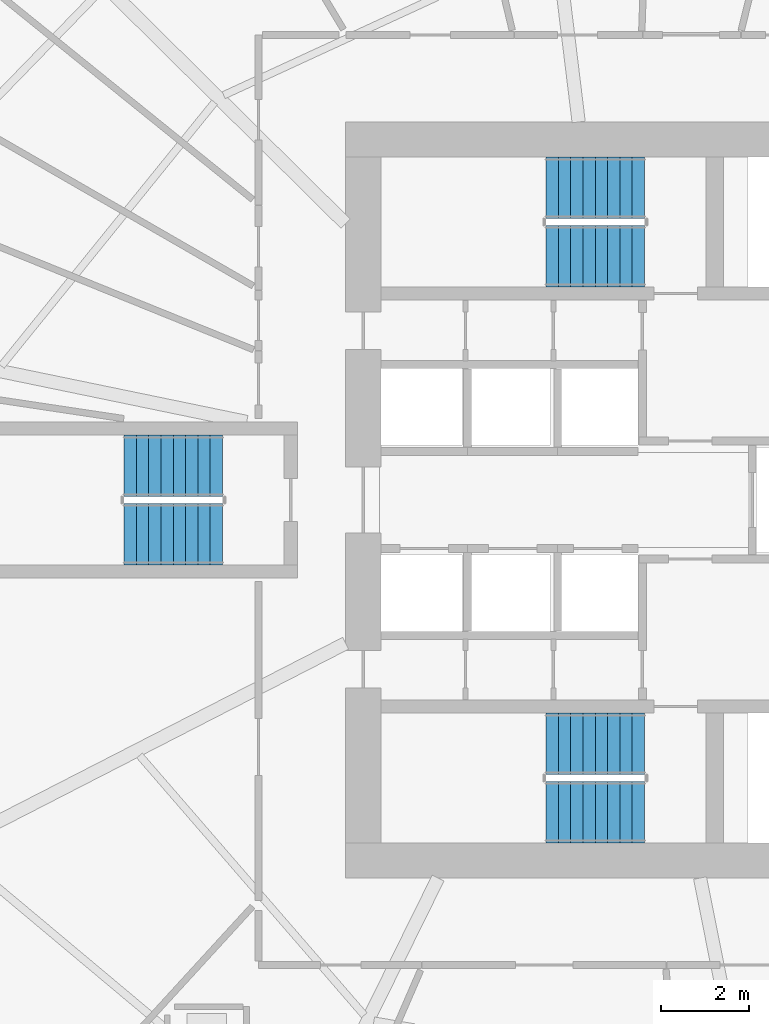
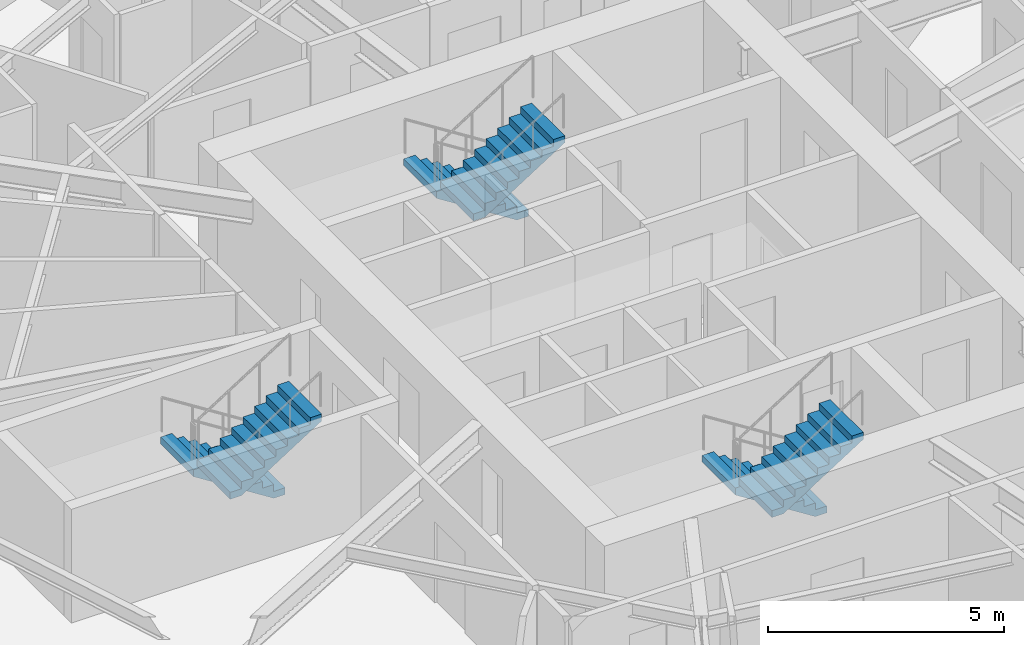
# One storey, part 11 of 16: 6 stair flights, 3 elements without a shape of their own.
"""IFC4 building model written with IfcOpenShell, lengths in metres."""

from ifc_helpers import new_model, si_unit, direction, frame, origin, place, context, subcontext, project, spatial, polyline, outline, extrude, source, transform, mapped, material, type_object, element, aggregate, save


model = new_model("IFC4")

# Units and contexts
model_context = context("Model", 3, precision=1e-05, world=origin(), true_north=direction((0.0, 1.0)))
body_context = subcontext(model_context, "Body", "Model", "MODEL_VIEW")
ifc_project = project(units=[si_unit("LENGTHUNIT", "METRE"), si_unit("AREAUNIT", "SQUARE_METRE"), si_unit("VOLUMEUNIT", "CUBIC_METRE"), si_unit("PLANEANGLEUNIT", "RADIAN"), si_unit("MASSUNIT", "GRAM", prefix="KILO")], contexts=[model_context])

# Site, building, storey
site_placement = place(None, origin())
site = spatial("IfcSite", under=ifc_project, at=site_placement, CompositionType="ELEMENT")
building_placement = place(site_placement, origin())
building = spatial("IfcBuilding", under=site, at=building_placement, Name="Qafzar Sky-Pleat Residences", CompositionType="ELEMENT")
storey_placement = place(building_placement, frame((0.0, 0.0, 33.39990234375)))
storey = spatial("IfcBuildingStorey", under=building, at=storey_placement, Name="L09", CompositionType="ELEMENT", Elevation=33.39990234375)

# Stair, stair flights
ifc_material = material(Name="Concrete C40/50", Category="concrete")
stair_type = type_object("IfcStairType", Name="STAIR-H320", PredefinedType="HALF_TURN_STAIR", material=ifc_material)
stair_1_placement = place(storey_placement, origin())
stair_1 = element("IfcStair", 1, at=stair_1_placement, inside=storey, type_object=stair_type, Name="L09 Protected Exit Stair ST1", PredefinedType="HALF_TURN_STAIR")
stair_flight_type = type_object("IfcStairFlightType", Name="FLIGHT-H320", PredefinedType="STRAIGHT", material=ifc_material)
shared_shape = source(origin(), body_context, "Body", "SweptSolid", [
    extrude(outline(polyline([(0.0, 0.0), (0.0, 0.177734375), (0.280029296875, 0.177734375), (0.280029296875, 0.35546875), (0.56005859375, 0.35546875), (0.56005859375, 0.533447265625), (0.840087890625, 0.533447265625), (0.840087890625, 0.711181640625), (1.1201171875, 0.711181640625), (1.1201171875, 0.888916015625), (1.39990234375, 0.888916015625), (1.39990234375, 1.066650390625), (1.679931640625, 1.066650390625), (1.679931640625, 1.244384765625), (1.9599609375, 1.244384765625), (1.9599609375, 1.422119140625), (2.239990234375, 1.422119140625), (2.239990234375, 1.60009765625), (2.239990234375, 1.24462890625), (0.27978515625, 0.0), (0.0, 0.0)])), frame((0.0, 0.699951171875, 0.0), z_axis=(0.0, -1.0, 0.0), x_axis=(1.0, 0.0, 0.0)), (0.0, 0.0, 1.0), 1.39990234375),
])
stair_flight_1_placement = place(storey_placement, frame((30.800048828125, 20.449951171875, 0.0), z_axis=(0.0, 0.0, 1.0), x_axis=(-1.0, 0.0, 0.0)))
stair_flight_1 = element("IfcStairFlight", 2, at=stair_flight_1_placement, type_object=stair_flight_type, Name="ST1 flight 1", NumberOfRisers=9, NumberOfTreads=8, PredefinedType="STRAIGHT", RiserHeight=0.177777778, TreadLength=0.28, context=body_context, shape_type="MappedRepresentation", body=[
    mapped(shared_shape, transform((0.0, 0.0, 0.0), x_axis=(1.0, 0.0, 0.0), y_axis=(0.0, 1.0, 0.0), z_axis=(0.0, 0.0, 1.0), scale=1.0)),
])
stair_flight_2_placement = place(storey_placement, frame((28.56005859375, 18.89990234375, 1.60009765625), z_axis=(0.0, 0.0, 1.0), x_axis=(1.0, 0.0, 0.0)))
stair_flight_2 = element("IfcStairFlight", 3, at=stair_flight_2_placement, type_object=stair_flight_type, Name="ST1 flight 2", NumberOfRisers=9, NumberOfTreads=8, PredefinedType="STRAIGHT", RiserHeight=0.177777778, TreadLength=0.28, context=body_context, shape_type="MappedRepresentation", body=[
    mapped(shared_shape, transform((0.0, 0.0, 0.0), x_axis=(1.0, 0.0, 0.0), y_axis=(0.0, 1.0, 0.0), z_axis=(0.0, 0.0, 1.0), scale=1.0)),
])
aggregate(stair_1, [stair_flight_1, stair_flight_2])

stair_2_placement = place(storey_placement, origin())
stair_2 = element("IfcStair", 4, at=stair_2_placement, inside=storey, type_object=stair_type, Name="L09 Protected Exit Stair ST2", PredefinedType="HALF_TURN_STAIR")
stair_flight_3_placement = place(storey_placement, frame((30.800048828125, 33.10009765625, 0.0), z_axis=(0.0, 0.0, 1.0), x_axis=(-1.0, 0.0, 0.0)))
stair_flight_3 = element("IfcStairFlight", 5, at=stair_flight_3_placement, type_object=stair_flight_type, Name="ST2 flight 1", NumberOfRisers=9, NumberOfTreads=8, PredefinedType="STRAIGHT", RiserHeight=0.177777778, TreadLength=0.28, context=body_context, shape_type="MappedRepresentation", body=[
    mapped(shared_shape, transform((0.0, 0.0, 0.0), x_axis=(1.0, 0.0, 0.0), y_axis=(0.0, 1.0, 0.0), z_axis=(0.0, 0.0, 1.0), scale=1.0)),
])
stair_flight_4_placement = place(storey_placement, frame((28.56005859375, 31.550048828125, 1.60009765625), z_axis=(0.0, 0.0, 1.0), x_axis=(1.0, 0.0, 0.0)))
stair_flight_4 = element("IfcStairFlight", 6, at=stair_flight_4_placement, type_object=stair_flight_type, Name="ST2 flight 2", NumberOfRisers=9, NumberOfTreads=8, PredefinedType="STRAIGHT", RiserHeight=0.177777778, TreadLength=0.28, context=body_context, shape_type="MappedRepresentation", body=[
    mapped(shared_shape, transform((0.0, 0.0, 0.0), x_axis=(1.0, 0.0, 0.0), y_axis=(0.0, 1.0, 0.0), z_axis=(0.0, 0.0, 1.0), scale=1.0)),
])
aggregate(stair_2, [stair_flight_3, stair_flight_4])

stair_3_placement = place(storey_placement, origin())
stair_3 = element("IfcStair", 7, at=stair_3_placement, inside=storey, type_object=stair_type, Name="L09 Protected Exit Stair ST3", PredefinedType="HALF_TURN_STAIR")
stair_flight_5_placement = place(storey_placement, frame((21.199951171875, 26.77490234375, 0.0), z_axis=(0.0, 0.0, 1.0), x_axis=(-1.0, 0.0, 0.0)))
stair_flight_5 = element("IfcStairFlight", 8, at=stair_flight_5_placement, type_object=stair_flight_type, Name="ST3 flight 1", NumberOfRisers=9, NumberOfTreads=8, PredefinedType="STRAIGHT", RiserHeight=0.177777778, TreadLength=0.28, context=body_context, shape_type="MappedRepresentation", body=[
    mapped(shared_shape, transform((0.0, 0.0, 0.0), x_axis=(1.0, 0.0, 0.0), y_axis=(0.0, 1.0, 0.0), z_axis=(0.0, 0.0, 1.0), scale=1.0)),
])
stair_flight_6_placement = place(storey_placement, frame((18.9599609375, 25.22509765625, 1.60009765625), z_axis=(0.0, 0.0, 1.0), x_axis=(1.0, 0.0, 0.0)))
stair_flight_6 = element("IfcStairFlight", 9, at=stair_flight_6_placement, type_object=stair_flight_type, Name="ST3 flight 2", NumberOfRisers=9, NumberOfTreads=8, PredefinedType="STRAIGHT", RiserHeight=0.177777778, TreadLength=0.28, context=body_context, shape_type="MappedRepresentation", body=[
    mapped(shared_shape, transform((0.0, 0.0, 0.0), x_axis=(1.0, 0.0, 0.0), y_axis=(0.0, 1.0, 0.0), z_axis=(0.0, 0.0, 1.0), scale=1.0)),
])
aggregate(stair_3, [stair_flight_5, stair_flight_6])

save(model, "model.ifc")
